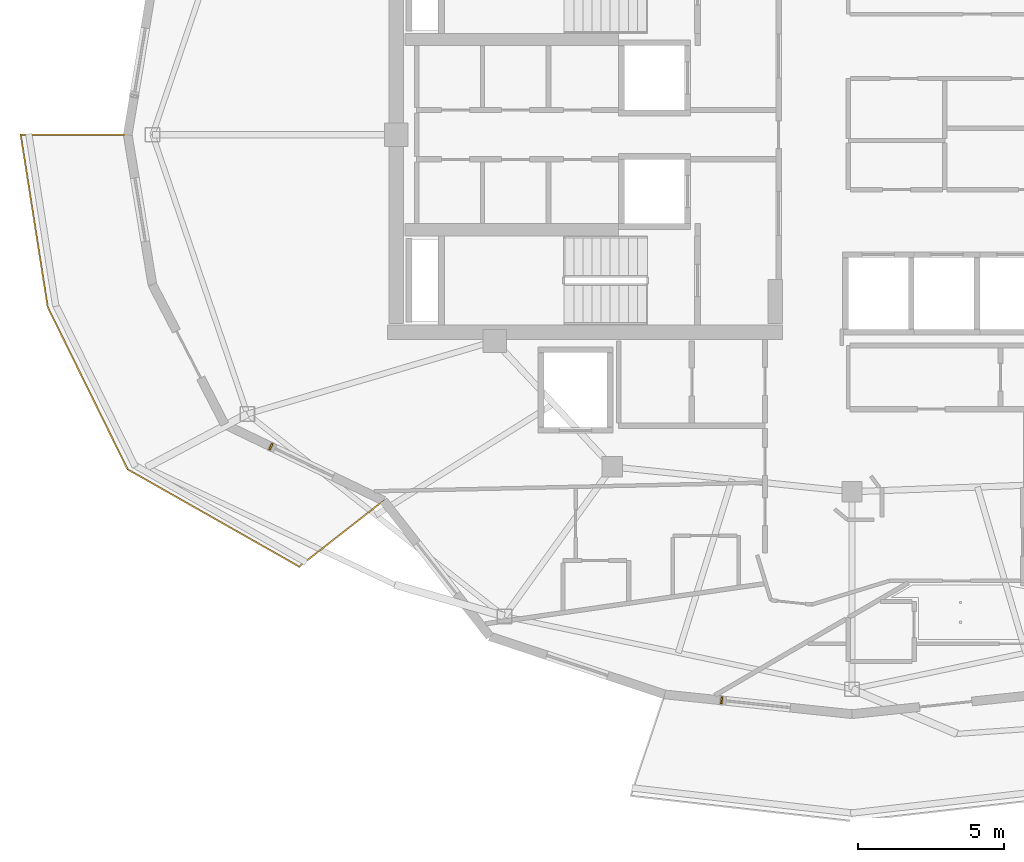
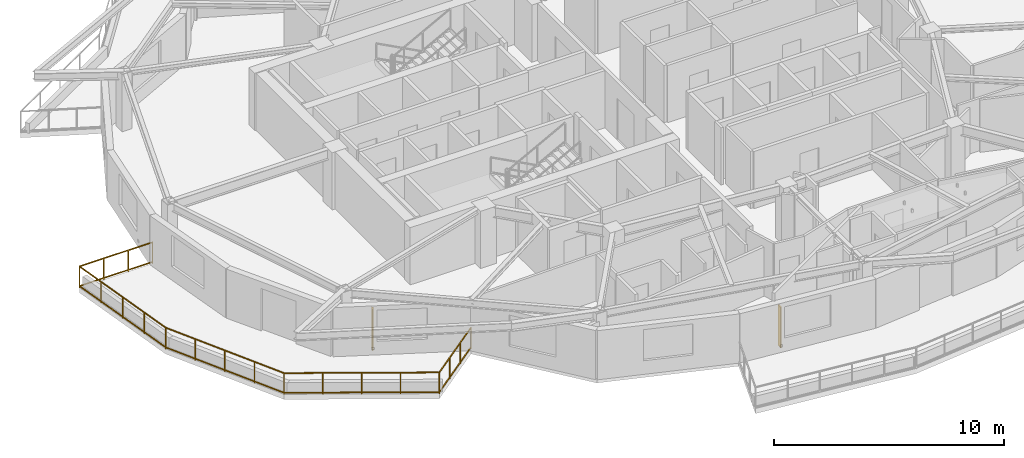
# One storey, part 13 of 18: 2 shading devices, 1 railing.
"""IFC4 building model written with IfcOpenShell, lengths in metres."""

from ifc_helpers import new_model, si_unit, direction, frame, origin, origin_2d, place, context, subcontext, project, spatial, rectangle, extrude, material, type_object, element, save


model = new_model("IFC4")

# Units and contexts
model_context = context("Model", 3, precision=1e-05, world=origin(), true_north=direction((0.0, 1.0)))
body_context = subcontext(model_context, "Body", "Model", "MODEL_VIEW")
ifc_project = project(units=[si_unit("LENGTHUNIT", "METRE"), si_unit("AREAUNIT", "SQUARE_METRE"), si_unit("VOLUMEUNIT", "CUBIC_METRE"), si_unit("PLANEANGLEUNIT", "RADIAN"), si_unit("MASSUNIT", "GRAM", prefix="KILO")], contexts=[model_context])

# Site, building, storey
site_placement = place(None, origin())
site = spatial("IfcSite", under=ifc_project, at=site_placement, CompositionType="ELEMENT")
building_placement = place(site_placement, origin())
building = spatial("IfcBuilding", under=site, at=building_placement, Name="Kolvaren Gate Tower and Convention Centre", CompositionType="ELEMENT")
storey_placement = place(building_placement, frame((0.0, 0.0, 229.39990234375)))
storey = spatial("IfcBuildingStorey", under=building, at=storey_placement, Name="L61", CompositionType="ELEMENT", Elevation=229.39990234375)

# Railing
ifc_material_1 = material(Name="Brushed Stainless Steel Grade 316L", Category="steel")
railing_type = type_object("IfcRailingType", Name="ARCH-RL-GUARD-1150", PredefinedType="GUARDRAIL", material=ifc_material_1)
railing_placement = place(storey_placement, frame((5.375, 27.0, 0.0)))
element("IfcRailing", 1, at=railing_placement, inside=storey, type_object=railing_type, Name="Tower L61 Terrace Perimeter Guardrail GR-2", PredefinedType="GUARDRAIL", context=body_context, shape_type="SweptSolid", body=[
    extrude(rectangle(XDim=0.048095703125, YDim=0.048095703125, at=origin_2d()), frame((-0.028076171875, 0.0, 1.1259765625), z_axis=(-1.0, 0.0, 0.0), x_axis=(0.0, -1.0, 0.0)), (0.0, 0.0, 1.0), 3.603759765625),
    extrude(rectangle(XDim=0.048095703125, YDim=0.048095703125, at=origin_2d()), frame((-0.028076171875, 0.0, 0.083984375), z_axis=(-1.0, 0.0, 0.0), x_axis=(0.0, -1.0, 0.0)), (0.0, 0.0, 1.0), 3.603759765625),
    extrude(rectangle(XDim=0.048095703125, YDim=0.048095703125, at=origin_2d()), frame((-3.655517578125, -0.027587890625, 1.1259765625), z_axis=(0.155031225865, -0.987909570258, 0.0), x_axis=(0.987909570258, 0.155031225865, 0.0)), (0.0, 0.0, 1.0), 5.90771484375),
    extrude(rectangle(XDim=0.048095703125, YDim=0.048095703125, at=origin_2d()), frame((-3.655517578125, -0.027587890625, 0.083984375), z_axis=(0.155031225865, -0.987909570258, 0.0), x_axis=(0.987909570258, 0.155031225865, 0.0)), (0.0, 0.0, 1.0), 5.90771484375),
    extrude(rectangle(XDim=0.048095703125, YDim=0.048095703125, at=origin_2d()), frame((-2.722900390625, -5.916748046875, 1.1259765625), z_axis=(0.441625304244, -0.897199582396, 0.0), x_axis=(0.897199582396, 0.441625304244, 0.0)), (0.0, 0.0, 1.0), 6.122314453125),
    extrude(rectangle(XDim=0.048095703125, YDim=0.048095703125, at=origin_2d()), frame((-2.722900390625, -5.916748046875, 0.083984375), z_axis=(0.441625304244, -0.897199582396, 0.0), x_axis=(0.897199582396, 0.441625304244, 0.0)), (0.0, 0.0, 1.0), 6.122314453125),
    extrude(rectangle(XDim=0.048095703125, YDim=0.048095703125, at=origin_2d()), frame((0.017578125, -11.44873046875, 1.1259765625), z_axis=(0.869876155964, -0.493270182846, 0.0), x_axis=(0.493270182846, 0.869876155964, 0.0)), (0.0, 0.0, 1.0), 6.6865234375),
    extrude(rectangle(XDim=0.048095703125, YDim=0.048095703125, at=origin_2d()), frame((0.017578125, -11.44873046875, 0.083984375), z_axis=(0.869876155964, -0.493270182846, 0.0), x_axis=(0.493270182846, 0.869876155964, 0.0)), (0.0, 0.0, 1.0), 6.6865234375),
    extrude(rectangle(XDim=0.048095703125, YDim=0.048095703125, at=origin_2d()), frame((5.880615234375, -14.743408203125, 1.1259765625), z_axis=(0.787988976981, 0.61568934712, 0.0), x_axis=(-0.61568934712, 0.787988976981, 0.0)), (0.0, 0.0, 1.0), 3.60400390625),
    extrude(rectangle(XDim=0.048095703125, YDim=0.048095703125, at=origin_2d()), frame((5.880615234375, -14.743408203125, 0.083984375), z_axis=(0.787988976981, 0.61568934712, 0.0), x_axis=(-0.61568934712, 0.787988976981, 0.0)), (0.0, 0.0, 1.0), 3.60400390625),
    extrude(rectangle(XDim=0.0419921875, YDim=0.0419921875, at=origin_2d()), origin(), (0.0, 0.0, 1.0), 1.14990234375),
    extrude(rectangle(XDim=0.0419921875, YDim=0.0419921875, at=origin_2d()), frame((-3.659912109375, 0.0, 0.0)), (0.0, 0.0, 1.0), 1.14990234375),
    extrude(rectangle(XDim=0.0419921875, YDim=0.0419921875, at=origin_2d()), frame((-1.219970703125, 0.0, 0.0)), (0.0, 0.0, 1.0), 1.099853515625),
    extrude(rectangle(XDim=0.0419921875, YDim=0.0419921875, at=origin_2d()), frame((-2.43994140625, 0.0, 0.0)), (0.0, 0.0, 1.0), 1.099853515625),
    extrude(rectangle(XDim=0.0419921875, YDim=0.0419921875, at=origin_2d()), frame((-2.7353515625, -5.8916015625, 0.0)), (0.0, 0.0, 1.0), 1.14990234375),
    extrude(rectangle(XDim=0.0419921875, YDim=0.0419921875, at=origin_2d()), frame((-3.4287109375, -1.472900390625, 0.0)), (0.0, 0.0, 1.0), 1.099853515625),
    extrude(rectangle(XDim=0.0419921875, YDim=0.0419921875, at=origin_2d()), frame((-3.19775390625, -2.94580078125, 0.0)), (0.0, 0.0, 1.0), 1.099853515625),
    extrude(rectangle(XDim=0.0419921875, YDim=0.0419921875, at=origin_2d()), frame((-2.966552734375, -4.418701171875, 0.0)), (0.0, 0.0, 1.0), 1.099853515625),
    extrude(rectangle(XDim=0.0419921875, YDim=0.0419921875, at=origin_2d()), frame((-0.0068359375, -11.434814453125, 0.0)), (0.0, 0.0, 1.0), 1.14990234375),
    extrude(rectangle(XDim=0.0419921875, YDim=0.0419921875, at=origin_2d()), frame((-2.05322265625, -7.27734375, 0.0)), (0.0, 0.0, 1.0), 1.099853515625),
    extrude(rectangle(XDim=0.0419921875, YDim=0.0419921875, at=origin_2d()), frame((-1.37109375, -8.6630859375, 0.0)), (0.0, 0.0, 1.0), 1.099853515625),
    extrude(rectangle(XDim=0.0419921875, YDim=0.0419921875, at=origin_2d()), frame((-0.68896484375, -10.049072265625, 0.0)), (0.0, 0.0, 1.0), 1.099853515625),
    extrude(rectangle(XDim=0.0419921875, YDim=0.0419921875, at=origin_2d()), frame((5.8583984375, -14.7607421875, 0.0)), (0.0, 0.0, 1.0), 1.14990234375),
    extrude(rectangle(XDim=0.0419921875, YDim=0.0419921875, at=origin_2d()), frame((1.45947265625, -12.266357421875, 0.0)), (0.0, 0.0, 1.0), 1.099853515625),
    extrude(rectangle(XDim=0.0419921875, YDim=0.0419921875, at=origin_2d()), frame((2.92578125, -13.09765625, 0.0)), (0.0, 0.0, 1.0), 1.099853515625),
    extrude(rectangle(XDim=0.0419921875, YDim=0.0419921875, at=origin_2d()), frame((4.39208984375, -13.92919921875, 0.0)), (0.0, 0.0, 1.0), 1.099853515625),
    extrude(rectangle(XDim=0.0419921875, YDim=0.0419921875, at=origin_2d()), frame((8.742431640625, -12.50732421875, 0.0)), (0.0, 0.0, 1.0), 1.14990234375),
    extrude(rectangle(XDim=0.0419921875, YDim=0.0419921875, at=origin_2d()), frame((6.81982421875, -14.009521484375, 0.0)), (0.0, 0.0, 1.0), 1.099853515625),
    extrude(rectangle(XDim=0.0419921875, YDim=0.0419921875, at=origin_2d()), frame((7.781005859375, -13.258544921875, 0.0)), (0.0, 0.0, 1.0), 1.099853515625),
])

# Shading devices
ifc_material_2 = material(Name="Kiln-Fired Bogota Terracotta Ceramic Louvre Profile", Category="masonry")
shading_device_type = type_object("IfcShadingDeviceType", Name="ARCH-SHD-FIN-180", PredefinedType="JALOUSIE", material=ifc_material_2)
for number, where, z_axis, x_axis, name in (
    (2, (10.268310546875, 16.342041015625, 0.22021484375), (0.0, 0.0, 1.0), (0.90135914581, -0.433072384555, 0.0), "Ceramic Vertical Brise-Soleil Fin FN-L61-14"),
    (3, (25.66943359375, 7.669189453125, 0.22021484375), (0.0, 0.0, 1.0), (0.994498884311, -0.104747167526, 0.0), "Ceramic Vertical Brise-Soleil Fin FN-L61-17"),
):
    element("IfcShadingDevice", number, at=place(storey_placement, frame(where, z_axis=z_axis, x_axis=x_axis)), inside=storey, type_object=shading_device_type, Name=name, PredefinedType="JALOUSIE", context=body_context, shape_type="SweptSolid", body=[
        extrude(rectangle(XDim=0.06005859375, YDim=0.239990234375, at=origin_2d()), origin(), (0.0, 0.0, 1.0), 2.14990234375),
    ])

save(model, "model.ifc")
